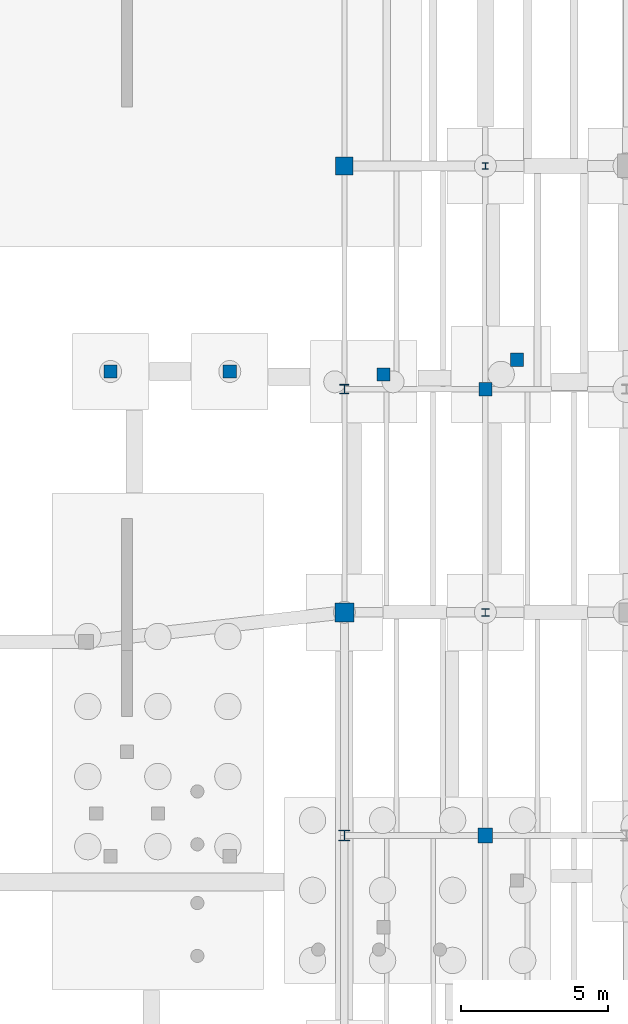
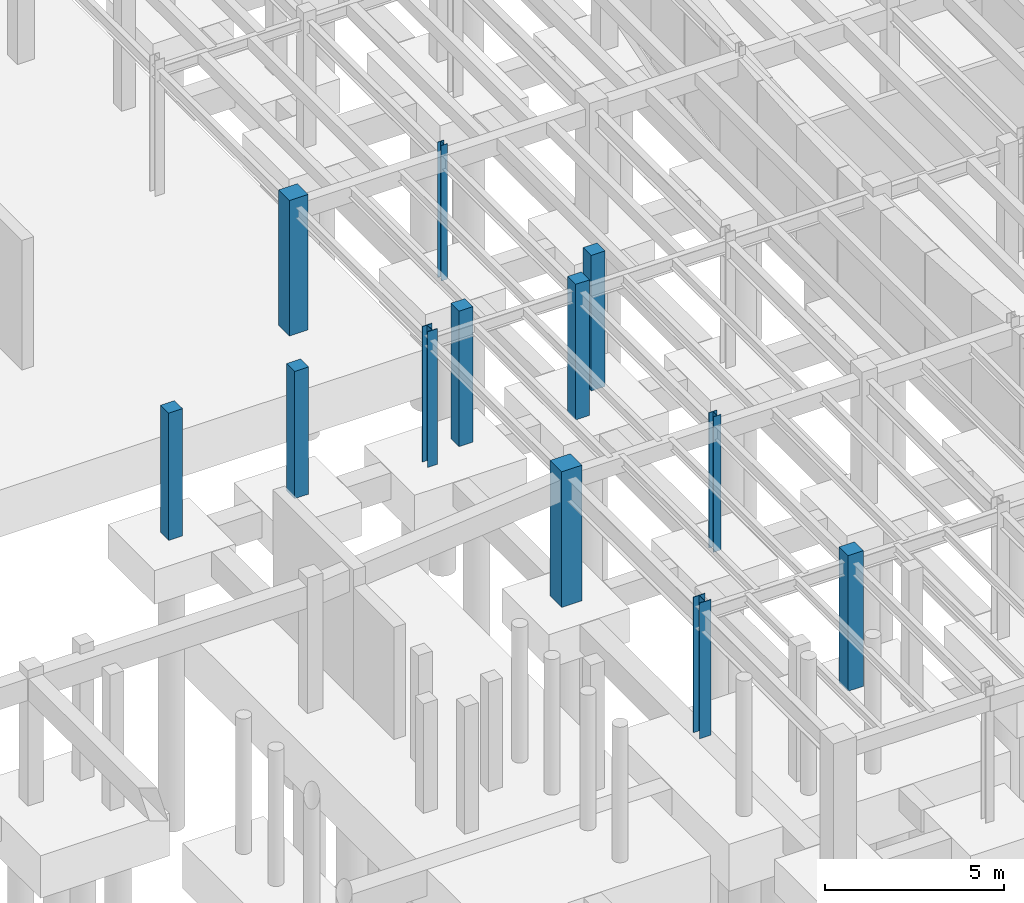
# One storey, part 15 of 45: 12 columns.
"""IFC4 building model written with IfcOpenShell, lengths in metres."""

from ifc_helpers import new_model, si_unit, direction, frame, origin, origin_2d, place, context, subcontext, project, spatial, rectangle, i_section, extrude, material, material_profile, profile_set, type_object, element, save


model = new_model("IFC4")

# Units and contexts
model_context = context("Model", 3, precision=1e-05, world=origin(), true_north=direction((0.0, 1.0)))
body_context = subcontext(model_context, "Body", "Model", "MODEL_VIEW")
ifc_project = project(units=[si_unit("LENGTHUNIT", "METRE"), si_unit("AREAUNIT", "SQUARE_METRE"), si_unit("VOLUMEUNIT", "CUBIC_METRE"), si_unit("PLANEANGLEUNIT", "RADIAN"), si_unit("MASSUNIT", "GRAM", prefix="KILO")], contexts=[model_context])

# Site, building, storey
site_placement = place(None, origin())
site = spatial("IfcSite", under=ifc_project, at=site_placement, CompositionType="ELEMENT")
building_placement = place(site_placement, origin())
building = spatial("IfcBuilding", under=site, at=building_placement, Name="Corveleigh Park Community Centre", CompositionType="ELEMENT")
storey_placement = place(building_placement, frame((0.0, 0.0, -4.199951171875)))
storey = spatial("IfcBuildingStorey", under=building, at=storey_placement, Name="B1", CompositionType="ELEMENT", Elevation=-4.199951171875)

# Columns
ifc_material_1 = material(Name="Concrete C40/50", Category="concrete")
ifc_material_profile_1 = material_profile(ifc_material_1, rectangle(XDim=0.449951171875, YDim=0.449951171875, at=origin_2d()), Name="RC-450x450", Category="concrete")
ifc_profile_set_1 = profile_set([ifc_material_profile_1], Name="Concrete C40/50")
column_type_1 = type_object("IfcColumnType", Name="COL-RC-450x450", PredefinedType="COLUMN", material=ifc_profile_set_1)
for number, where, z_axis, x_axis, name in (
    (1, (134.60009765625, 81.39990234375, -0.4150390625), (0.0, 0.0, 1.0), (1.0, 0.0, 0.0), "Column V4-X1Y3 B1"),
    (2, (131.12890625, 81.89990234375, -0.4150390625), (0.0, 0.0, 1.0), (1.0, 0.0, 0.0), "External deck support pier 125 B1"),
    (3, (135.674072265625, 82.39990234375, -0.4150390625), (0.0, 0.0, 1.0), (1.0, 0.0, 0.0), "External deck support pier 132 B1"),
):
    element("IfcColumn", number, at=place(storey_placement, frame(where, z_axis=z_axis, x_axis=x_axis)), inside=storey, type_object=column_type_1, Name=name, PredefinedType="COLUMN", context=body_context, shape_type="SweptSolid", body=[
        extrude(rectangle(XDim=0.449951171875, YDim=0.449951171875, at=origin_2d()), origin(), (0.0, 0.0, 1.0), 4.614990234375),
    ])
for number, where, z_axis, x_axis, name in (
    (4, (121.8359375, 82.0009765625, -0.4150390625), (0.0, 0.0, 1.0), (1.0, 0.0, 0.0), "External deck support pier 172 B1"),
    (5, (125.89599609375, 82.0009765625, -0.4150390625), (0.0, 0.0, 1.0), (1.0, 0.0, 0.0), "External deck support pier 175 B1"),
):
    element("IfcColumn", number, at=place(storey_placement, frame(where, z_axis=z_axis, x_axis=x_axis)), inside=storey, type_object=column_type_1, Name=name, PredefinedType="COLUMN", context=body_context, shape_type="SweptSolid", body=[
        extrude(rectangle(XDim=0.449951171875, YDim=0.449951171875, at=origin_2d()), origin(), (0.0, 0.0, 1.0), 4.3330078125),
    ])
ifc_material_profile_2 = material_profile(ifc_material_1, rectangle(XDim=0.5, YDim=0.5, at=origin_2d()), Name="RC-500x500", Category="concrete")
ifc_profile_set_2 = profile_set([ifc_material_profile_2], Name="Concrete C40/50")
column_type_2 = type_object("IfcColumnType", Name="COL-RC-500x500", PredefinedType="COLUMN", material=ifc_profile_set_2)
column_1_placement = place(storey_placement, frame((134.60009765625, 66.199951171875, -0.4150390625), z_axis=(0.0, 0.0, 1.0), x_axis=(1.0, 0.0, 0.0)))
element("IfcColumn", 6, at=column_1_placement, inside=storey, type_object=column_type_2, Name="Column V4-X1Y1 B1", PredefinedType="COLUMN", context=body_context, shape_type="SweptSolid", body=[
    extrude(rectangle(XDim=0.5, YDim=0.5, at=origin_2d()), origin(), (0.0, 0.0, 1.0), 4.614990234375),
])
ifc_material_profile_3 = material_profile(ifc_material_1, rectangle(XDim=0.60009765625, YDim=0.60009765625, at=origin_2d()), Name="RC-600x600", Category="concrete")
ifc_profile_set_3 = profile_set([ifc_material_profile_3], Name="Concrete C40/50")
column_type_3 = type_object("IfcColumnType", Name="COL-RC-600x600", PredefinedType="COLUMN", material=ifc_profile_set_3)
column_2_placement = place(storey_placement, frame((129.800048828125, 89.0, -0.4150390625), z_axis=(0.0, 0.0, 1.0), x_axis=(1.0, 0.0, 0.0)))
element("IfcColumn", 7, at=column_2_placement, inside=storey, type_object=column_type_3, Name="Column V4-X0Y4 B1", PredefinedType="COLUMN", context=body_context, shape_type="SweptSolid", body=[
    extrude(rectangle(XDim=0.60009765625, YDim=0.60009765625, at=origin_2d()), origin(), (0.0, 0.0, 1.0), 4.614990234375),
])
ifc_material_profile_4 = material_profile(ifc_material_1, rectangle(XDim=0.64990234375, YDim=0.64990234375, at=origin_2d()), Name="RC-650x650", Category="concrete")
ifc_profile_set_4 = profile_set([ifc_material_profile_4], Name="Concrete C40/50")
column_type_4 = type_object("IfcColumnType", Name="COL-RC-650x650", PredefinedType="COLUMN", material=ifc_profile_set_4)
column_3_placement = place(storey_placement, frame((129.800048828125, 73.800048828125, -0.4150390625), z_axis=(0.0, 0.0, 1.0), x_axis=(1.0, 0.0, 0.0)))
element("IfcColumn", 8, at=column_3_placement, inside=storey, type_object=column_type_4, Name="Column V4-X0Y2 B1", PredefinedType="COLUMN", context=body_context, shape_type="SweptSolid", body=[
    extrude(rectangle(XDim=0.64990234375, YDim=0.64990234375, at=origin_2d()), origin(), (0.0, 0.0, 1.0), 4.614990234375),
])
ifc_material_2 = material(Name="Steel S355", Category="steel")
ifc_material_profile_5 = material_profile(ifc_material_2, i_section(OverallWidth=0.205810546875, OverallDepth=0.209716796875, WebThickness=0.009521484375, FlangeThickness=0.01416015625, at=origin_2d()), Name="UKC 203x203x60", Category="steel")
ifc_profile_set_5 = profile_set([ifc_material_profile_5], Name="Steel S355")
column_type_5 = type_object("IfcColumnType", Name="COL-STL-UKC203x60", PredefinedType="COLUMN", material=ifc_profile_set_5)
column_4_placement = place(storey_placement, frame((134.60009765625, 89.0, -0.4150390625), z_axis=(0.0, 0.0, 1.0), x_axis=(1.0, 0.0, 0.0)))
element("IfcColumn", 9, at=column_4_placement, inside=storey, type_object=column_type_5, Name="Column V4-X1Y4 B1", PredefinedType="COLUMN", context=body_context, shape_type="SweptSolid", body=[
    extrude(i_section(OverallWidth=0.205810546875, OverallDepth=0.209716796875, WebThickness=0.009521484375, FlangeThickness=0.01416015625, at=origin_2d()), origin(), (0.0, 0.0, 1.0), 4.614990234375),
])
ifc_material_profile_6 = material_profile(ifc_material_2, i_section(OverallWidth=0.254638671875, OverallDepth=0.254150390625, WebThickness=0.008544921875, FlangeThickness=0.01416015625, at=origin_2d()), Name="UKC 254x254x73", Category="steel")
ifc_profile_set_6 = profile_set([ifc_material_profile_6], Name="Steel S355")
column_type_6 = type_object("IfcColumnType", Name="COL-STL-UKC254x73", PredefinedType="COLUMN", material=ifc_profile_set_6)
column_5_placement = place(storey_placement, frame((134.60009765625, 73.800048828125, -0.4150390625), z_axis=(0.0, 0.0, 1.0), x_axis=(1.0, 0.0, 0.0)))
element("IfcColumn", 10, at=column_5_placement, inside=storey, type_object=column_type_6, Name="Column V4-X1Y2 B1", PredefinedType="COLUMN", context=body_context, shape_type="SweptSolid", body=[
    extrude(i_section(OverallWidth=0.254638671875, OverallDepth=0.254150390625, WebThickness=0.008544921875, FlangeThickness=0.01416015625, at=origin_2d()), origin(), (0.0, 0.0, 1.0), 4.614990234375),
])
ifc_material_profile_7 = material_profile(ifc_material_2, i_section(OverallWidth=0.30908203125, OverallDepth=0.320556640625, WebThickness=0.013916015625, FlangeThickness=0.021728515625, at=origin_2d()), Name="UKC 305x305x137", Category="steel")
ifc_profile_set_7 = profile_set([ifc_material_profile_7], Name="Steel S355")
column_type_7 = type_object("IfcColumnType", Name="COL-STL-UKC305x137", PredefinedType="COLUMN", material=ifc_profile_set_7)
column_6_placement = place(storey_placement, frame((129.800048828125, 81.39990234375, -0.4150390625), z_axis=(0.0, 0.0, 1.0), x_axis=(1.0, 0.0, 0.0)))
element("IfcColumn", 11, at=column_6_placement, inside=storey, type_object=column_type_7, Name="Column V4-X0Y3 B1", PredefinedType="COLUMN", context=body_context, shape_type="SweptSolid", body=[
    extrude(i_section(OverallWidth=0.30908203125, OverallDepth=0.320556640625, WebThickness=0.013916015625, FlangeThickness=0.021728515625, at=origin_2d()), origin(), (0.0, 0.0, 1.0), 4.614990234375),
])
ifc_material_profile_8 = material_profile(ifc_material_2, i_section(OverallWidth=0.37060546875, OverallDepth=0.362060546875, WebThickness=0.01220703125, FlangeThickness=0.020751953125, at=origin_2d()), Name="UKC 356x368x153", Category="steel")
ifc_profile_set_8 = profile_set([ifc_material_profile_8], Name="Steel S355")
column_type_8 = type_object("IfcColumnType", Name="COL-STL-UKC356x153", PredefinedType="COLUMN", material=ifc_profile_set_8)
column_7_placement = place(storey_placement, frame((129.800048828125, 66.199951171875, -0.4150390625), z_axis=(0.0, 0.0, 1.0), x_axis=(1.0, 0.0, 0.0)))
element("IfcColumn", 12, at=column_7_placement, inside=storey, type_object=column_type_8, Name="Column V4-X0Y1 B1", PredefinedType="COLUMN", context=body_context, shape_type="SweptSolid", body=[
    extrude(i_section(OverallWidth=0.37060546875, OverallDepth=0.362060546875, WebThickness=0.01220703125, FlangeThickness=0.020751953125, at=origin_2d()), origin(), (0.0, 0.0, 1.0), 4.614990234375),
])

save(model, "model.ifc")
